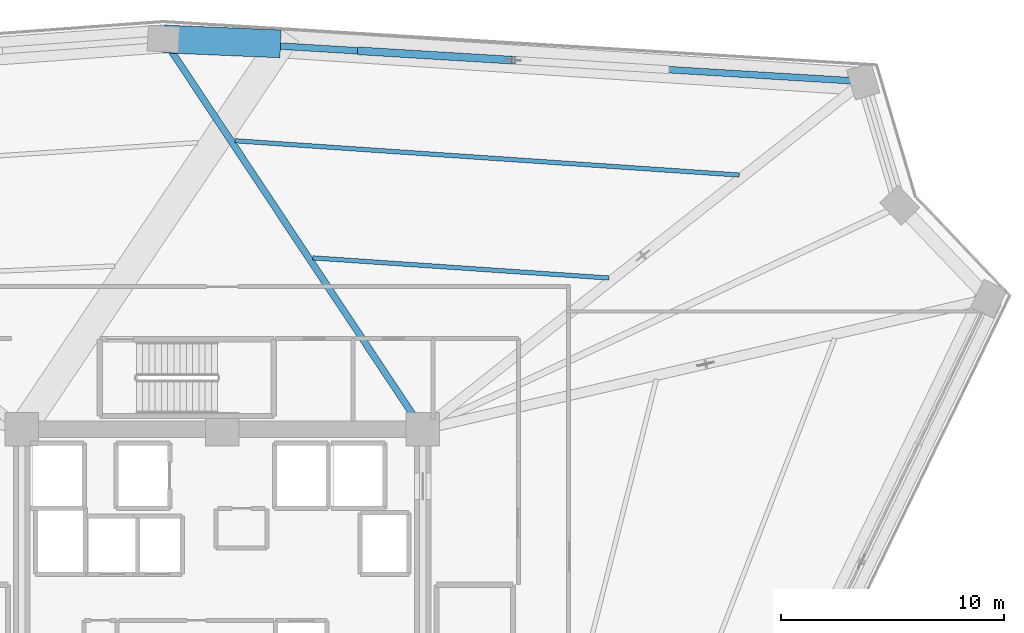
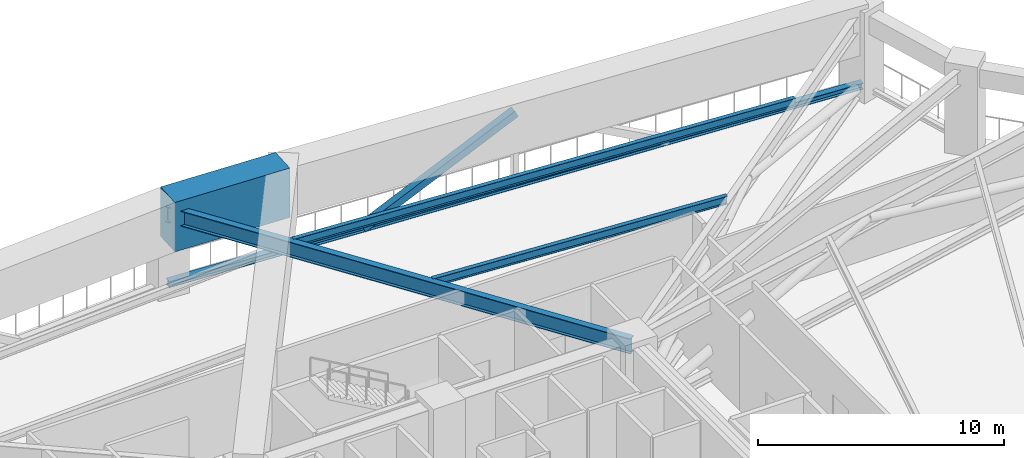
# One storey, part 10 of 27: 4 beams, 2 members.
"""IFC4 building model written with IfcOpenShell, lengths in metres."""

from ifc_helpers import new_model, si_unit, direction, frame, origin, origin_2d, place, context, subcontext, project, spatial, rectangle, hollow_rectangle, i_section, extrude, source, transform, mapped, material, material_profile, profile_set, type_object, element, save


model = new_model("IFC4")

# Units and contexts
model_context = context("Model", 3, precision=1e-05, world=origin(), true_north=direction((0.0, 1.0)))
body_context = subcontext(model_context, "Body", "Model", "MODEL_VIEW")
ifc_project = project(units=[si_unit("LENGTHUNIT", "METRE"), si_unit("AREAUNIT", "SQUARE_METRE"), si_unit("VOLUMEUNIT", "CUBIC_METRE"), si_unit("PLANEANGLEUNIT", "RADIAN"), si_unit("MASSUNIT", "GRAM", prefix="KILO")], contexts=[model_context])

# Site, building, storey
site_placement = place(None, origin())
site = spatial("IfcSite", under=ifc_project, at=site_placement, CompositionType="ELEMENT")
building_placement = place(site_placement, origin())
building = spatial("IfcBuilding", under=site, at=building_placement, Name="Liaohun Quay Tower", CompositionType="ELEMENT")
storey_placement = place(building_placement, frame((0.0, 0.0, 185.25)))
storey = spatial("IfcBuildingStorey", under=building, at=storey_placement, Name="L48", CompositionType="ELEMENT", Elevation=185.25)

# Beams
ifc_material_1 = material(Name="Steel Q355D", Category="steel")
ifc_material_profile_1 = material_profile(ifc_material_1, i_section(OverallWidth=0.300048828125, OverallDepth=0.75, WebThickness=0.013916015625, FlangeThickness=0.02587890625, at=origin_2d()), Name="HN750x300x14x26")
ifc_profile_set_1 = profile_set([ifc_material_profile_1], Name="Steel Q355D")
beam_type_1 = type_object("IfcBeamType", Name="BM-RAD-M2", PredefinedType="BEAM", material=ifc_profile_set_1)
shared_shape_1 = source(origin(), body_context, "Body", "SweptSolid", [
    extrude(i_section(OverallWidth=0.300048828125, OverallDepth=0.75, WebThickness=0.013916015625, FlangeThickness=0.02587890625, at=origin_2d()), origin(), (0.0, 0.0, 1.0), 21.04736328125),
])
beam_1_placement = place(storey_placement, frame((69.0, 61.5, 3.844970703125), z_axis=(-0.553232427979, 0.83302693872, 0.0), x_axis=(-0.83302693872, -0.553232427979, 0.0)))
element("IfcBeam", 1, at=beam_1_placement, inside=storey, type_object=beam_type_1, Name="L48 Radial Primary Girder CC4-PC06", PredefinedType="BEAM", context=body_context, shape_type="MappedRepresentation", body=[
    mapped(shared_shape_1, transform((0.0, 0.0, 0.0), x_axis=(1.0, 0.0, 0.0), y_axis=(0.0, 1.0, 0.0), z_axis=(0.0, 0.0, 1.0), scale=1.0)),
])
ifc_material_2 = material(Name="Concrete C60", Category="concrete")
ifc_material_profile_2 = material_profile(ifc_material_2, rectangle(XDim=1.25, YDim=2.449951171875, at=origin_2d()), Name="RC1250x2450")
ifc_profile_set_2 = profile_set([ifc_material_profile_2], Name="Concrete C60")
beam_type_2 = type_object("IfcBeamType", Name="BM-TRF-1", PredefinedType="BEAM", material=ifc_profile_set_2)
shared_shape_2 = source(origin(), body_context, "Body", "SweptSolid", [
    extrude(rectangle(XDim=1.25, YDim=2.449951171875, at=origin_2d()), origin(), (0.0, 0.0, 1.0), 5.268798828125),
])
beam_2_placement = place(storey_placement, frame((57.35595703125, 79.032958984375, 3.5), z_axis=(0.999120338192, -0.041935066602, 0.0), x_axis=(0.041935066602, 0.999120338192, 0.0)))
element("IfcBeam", 2, at=beam_2_placement, inside=storey, type_object=beam_type_2, Name="L48 Zone-Break Transfer Link PC06", PredefinedType="BEAM", context=body_context, shape_type="MappedRepresentation", body=[
    mapped(shared_shape_2, transform((0.0, 0.0, 0.0), x_axis=(1.0, 0.0, 0.0), y_axis=(0.0, 1.0, 0.0), z_axis=(0.0, 0.0, 1.0), scale=1.0)),
])
ifc_material_profile_3 = material_profile(ifc_material_1, i_section(OverallWidth=0.199951171875, OverallDepth=0.39990234375, WebThickness=0.008056640625, FlangeThickness=0.012939453125, at=origin_2d()), Name="HN400x200x8x13")
ifc_profile_set_3 = profile_set([ifc_material_profile_3], Name="Steel Q355D")
beam_type_3 = type_object("IfcBeamType", Name="BM-SEC-J2", PredefinedType="JOIST", material=ifc_profile_set_3)
shared_shape_3 = source(origin(), body_context, "Body", "SweptSolid", [
    extrude(i_section(OverallWidth=0.199951171875, OverallDepth=0.39990234375, WebThickness=0.008056640625, FlangeThickness=0.012939453125, at=origin_2d()), origin(), (0.0, 0.0, 1.0), 13.331787109375),
])
beam_3_placement = place(storey_placement, frame((64.06494140625, 69.201904296875, 4.02001953125), z_axis=(0.997694385491, -0.067866878226, 0.0), x_axis=(0.067866878226, 0.997694385491, 0.0)))
element("IfcBeam", 3, at=beam_3_placement, inside=storey, type_object=beam_type_3, Name="L48 Wing Secondary Floor Joist SJ-08", PredefinedType="JOIST", context=body_context, shape_type="MappedRepresentation", body=[
    mapped(shared_shape_3, transform((0.0, 0.0, 0.0), x_axis=(1.0, 0.0, 0.0), y_axis=(0.0, 1.0, 0.0), z_axis=(0.0, 0.0, 1.0), scale=1.0)),
])
shared_shape_4 = source(origin(), body_context, "Body", "SweptSolid", [
    extrude(i_section(OverallWidth=0.199951171875, OverallDepth=0.39990234375, WebThickness=0.008056640625, FlangeThickness=0.012939453125, at=origin_2d()), origin(), (0.0, 0.0, 1.0), 22.701171875),
])
beam_4_placement = place(storey_placement, frame((60.572021484375, 74.4619140625, 4.02001953125), z_axis=(0.997693336786, -0.067882293218, 0.0), x_axis=(0.067882293218, 0.997693336786, 0.0)))
element("IfcBeam", 4, at=beam_4_placement, inside=storey, type_object=beam_type_3, Name="L48 Wing Secondary Floor Joist SJ-09", PredefinedType="JOIST", context=body_context, shape_type="MappedRepresentation", body=[
    mapped(shared_shape_4, transform((0.0, 0.0, 0.0), x_axis=(1.0, 0.0, 0.0), y_axis=(0.0, 1.0, 0.0), z_axis=(0.0, 0.0, 1.0), scale=1.0)),
])

# Members
ifc_material_profile_4 = material_profile(ifc_material_1, i_section(OverallWidth=0.300048828125, OverallDepth=0.300048828125, WebThickness=0.010009765625, FlangeThickness=0.014892578125, at=origin_2d()), Name="HW300x300x10x15")
ifc_profile_set_4 = profile_set([ifc_material_profile_4], Name="Steel Q355D")
member_type_1 = type_object("IfcMemberType", Name="MEM-BLT-CHD", PredefinedType="CHORD", material=ifc_profile_set_4)
shared_shape_5 = source(origin(), body_context, "Body", "SweptSolid", [
    extrude(i_section(OverallWidth=0.300048828125, OverallDepth=0.300048828125, WebThickness=0.010009765625, FlangeThickness=0.014892578125, at=origin_2d()), origin(), (0.0, 0.0, 1.0), 31.489990234375),
])
member_1_placement = place(storey_placement, frame((57.35595703125, 79.032958984375, 0.35009765625), z_axis=(0.998160898974, -0.060620291652, 0.0), x_axis=(0.060620291652, 0.998160898974, 0.0)))
element("IfcMember", 5, at=member_1_placement, inside=storey, type_object=member_type_1, Name="L48 Belt Truss Bottom Chord BC-1-04", PredefinedType="CHORD", context=body_context, shape_type="MappedRepresentation", body=[
    mapped(shared_shape_5, transform((0.0, 0.0, 0.0), x_axis=(1.0, 0.0, 0.0), y_axis=(0.0, 1.0, 0.0), z_axis=(0.0, 0.0, 1.0), scale=1.0)),
])
ifc_material_profile_5 = material_profile(ifc_material_1, hollow_rectangle(XDim=0.35009765625, YDim=0.35009765625, WallThickness=0.01611328125, at=origin_2d()), Name="SHS350x350x16")
ifc_profile_set_5 = profile_set([ifc_material_profile_5], Name="Steel Q355D")
member_type_2 = type_object("IfcMemberType", Name="MEM-BLT-DG2", PredefinedType="BRACE", material=ifc_profile_set_5)
shared_shape_6 = source(origin(), body_context, "Body", "SweptSolid", [
    extrude(hollow_rectangle(XDim=0.35009765625, YDim=0.35009765625, WallThickness=0.01611328125, at=origin_2d()), origin(), (0.0, 0.0, 1.0), 7.79345703125),
])
member_2_placement = place(storey_placement, frame((66.156982421875, 78.498046875, 0.35009765625), z_axis=(0.88728793067, -0.053912672246, 0.458054092722), x_axis=(0.060649338738, 0.998159134462, 0.0)))
element("IfcMember", 6, at=member_2_placement, inside=storey, type_object=member_type_2, Name="L48 Belt Truss Diagonal BD-04A", PredefinedType="BRACE", context=body_context, shape_type="MappedRepresentation", body=[
    mapped(shared_shape_6, transform((0.0, 0.0, 0.0), x_axis=(1.0, 0.0, 0.0), y_axis=(0.0, 1.0, 0.0), z_axis=(0.0, 0.0, 1.0), scale=1.0)),
])

save(model, "model.ifc")
